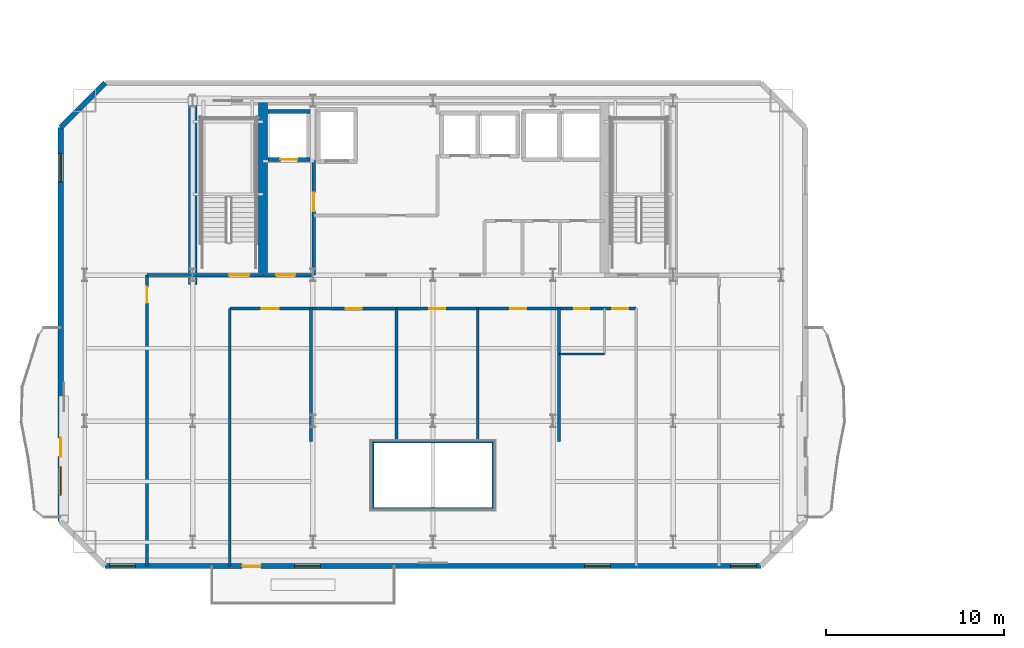
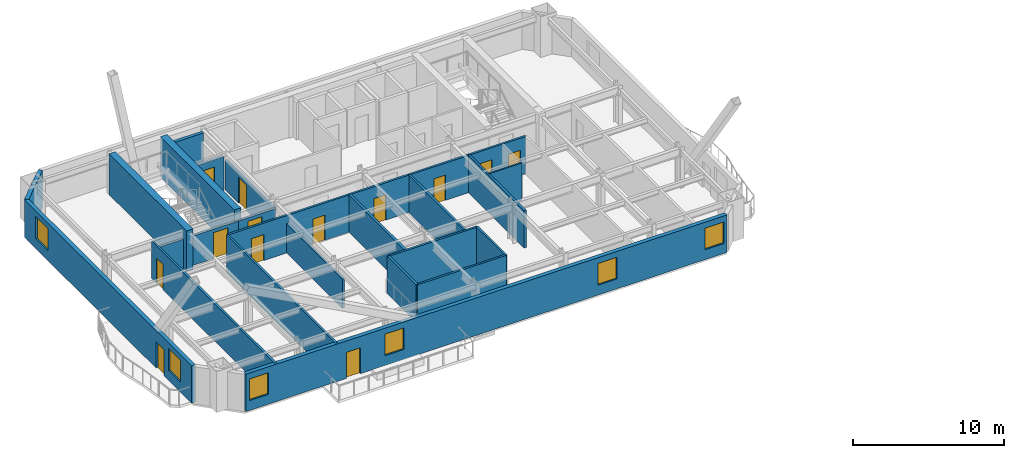
# One storey, part 5 of 13: 23 walls, 13 doors, 6 windows, 19 openings.
"""IFC4 building model written with IfcOpenShell, lengths in metres."""

from ifc_helpers import new_model, si_unit, direction, frame, frame_2d, origin, place, context, subcontext, project, spatial, rectangle, extrude, material, layer, layer_set, type_object, element, fill, save


model = new_model("IFC4")

# Units and contexts
model_context = context("Model", 3, precision=1e-05, world=origin(), true_north=direction((0.0, 1.0)))
body_context = subcontext(model_context, "Body", "Model", "MODEL_VIEW")
ifc_project = project(units=[si_unit("LENGTHUNIT", "METRE"), si_unit("AREAUNIT", "SQUARE_METRE"), si_unit("VOLUMEUNIT", "CUBIC_METRE"), si_unit("PLANEANGLEUNIT", "RADIAN"), si_unit("MASSUNIT", "GRAM", prefix="KILO")], contexts=[model_context])

# Site, building, storey
site_placement = place(None, origin())
site = spatial("IfcSite", under=ifc_project, at=site_placement, CompositionType="ELEMENT")
building_placement = place(site_placement, origin())
building = spatial("IfcBuilding", under=site, at=building_placement, Name="Haevon Station Towers", CompositionType="ELEMENT")
storey_placement = place(building_placement, frame((0.0, 0.0, 165.89990234375)))
storey = spatial("IfcBuildingStorey", under=building, at=storey_placement, Name="L45", CompositionType="ELEMENT", Elevation=165.89990234375)

# Walls
ifc_material_1 = material(Name="Gypsum board on steel stud", Category="steel")
ifc_layer_1 = layer(ifc_material_1, 0.179931640625)
ifc_layer_set_1 = layer_set([ifc_layer_1], Name="Gypsum board on steel stud")
wall_type_1 = type_object("IfcWallType", Name="WL-ACU180", PredefinedType="PARTITIONING", material=ifc_layer_set_1)
wall_1_placement = place(storey_placement, frame((21.425048828125, 38.199951171875, 0.0), z_axis=(0.0, 0.0, 1.0), x_axis=(1.0, 0.0, 0.0)))
element("IfcWall", 1, at=wall_1_placement, inside=storey, type_object=wall_type_1, Name="WL-T1PT-L45-03", PredefinedType="PARTITIONING", context=body_context, shape_type="SweptSolid", body=[
    extrude(rectangle(XDim=2.574951171875, YDim=0.179931640625, at=frame_2d((1.28759765625, 0.0))), origin(), (0.0, 0.0, 1.0), 2.380126953125),
])
wall_2_placement = place(storey_placement, frame((34.10009765625, 25.050048828125, 0.0), z_axis=(0.0, 0.0, 1.0), x_axis=(0.0, 1.0, 0.0)))
element("IfcWall", 2, at=wall_2_placement, inside=storey, type_object=wall_type_1, Name="WL-T1PT-L45-09", PredefinedType="PARTITIONING", context=body_context, shape_type="SweptSolid", body=[
    extrude(rectangle(XDim=3.800048828125, YDim=0.179931640625, at=frame_2d((1.89990234375, 0.0))), origin(), (0.0, 0.0, 1.0), 3.030029296875),
])
wall_3_placement = place(storey_placement, frame((35.4443359375, 28.85009765625, 0.0), z_axis=(0.0, 0.0, 1.0), x_axis=(0.0, 1.0, 0.0)))
element("IfcWall", 3, at=wall_3_placement, inside=storey, type_object=wall_type_1, Name="WL-T1PT-L45-12", PredefinedType="PARTITIONING", context=body_context, shape_type="SweptSolid", body=[
    extrude(rectangle(XDim=7.469970703125, YDim=0.179931640625, at=frame_2d((3.73486328125, 0.0))), origin(), (0.0, 0.0, 1.0), 3.030029296875),
])

# Wall, opening, door
ifc_layer_2 = layer(ifc_material_1, 0.199951171875)
ifc_layer_set_2 = layer_set([ifc_layer_2], Name="Gypsum board on steel stud")
wall_type_2 = type_object("IfcWallType", Name="WL-COR200", PredefinedType="PARTITIONING", material=ifc_layer_set_2)
wall_4_placement = place(storey_placement, frame((24.0, 38.199951171875, 0.0), z_axis=(0.0, 0.0, 1.0), x_axis=(1.0, 0.0, 0.0)))
wall_4 = element("IfcWall", 4, at=wall_4_placement, inside=storey, type_object=wall_type_2, Name="WL-ST-ST1-L45", PredefinedType="PARTITIONING", context=body_context, shape_type="SweptSolid", body=[
    extrude(rectangle(XDim=3.949951171875, YDim=0.199951171875, at=frame_2d((1.97509765625, 0.0))), origin(), (0.0, 0.0, 1.0), 2.380126953125),
])
opening_1_placement = place(wall_4_placement, frame((2.050048828125, 0.0, 0.0)))
opening_1 = element("IfcOpeningElement", 5, at=opening_1_placement, cuts=wall_4, Name="Opening DR-ST-ST1-L45", PredefinedType="OPENING", context=body_context, shape_type="SweptSolid", body=[
    extrude(rectangle(XDim=1.1201171875, YDim=2.10009765625, at=frame_2d((0.56005859375, 1.050048828125))), frame((0.0, 0.10986328125, 0.0), z_axis=(0.0, -1.0, 0.0), x_axis=(1.0, 0.0, 0.0)), (0.0, 0.0, 1.0), 0.219970703125),
])
ifc_material_2 = material(Name="Engineered oak timber", Category="wood")
door_type_1 = type_object("IfcDoorType", Name="DR-ST-1120", OperationType="NOTDEFINED", PredefinedType="DOOR", material=ifc_material_2)
door_1_placement = place(opening_1_placement, origin())
door_1 = element("IfcDoor", 6, at=door_1_placement, inside=storey, type_object=door_type_1, Name="L45 Escape Stair ST1 Fire Door", OperationType="SINGLE_SWING_LEFT", OverallHeight=2.10009765625, OverallWidth=1.1201171875, PredefinedType="DOOR", context=body_context, shape_type="SweptSolid", body=[
    extrude(rectangle(XDim=1.1201171875, YDim=2.10009765625, at=frame_2d((0.56005859375, 1.050048828125))), frame((0.0, 0.02490234375, 0.0), z_axis=(0.0, -1.0, 0.0), x_axis=(1.0, 0.0, 0.0)), (0.0, 0.0, 1.0), 0.050048828125),
])
fill(opening_1, door_1)

wall_5_placement = place(storey_placement, frame((30.800048828125, 38.199951171875, 0.0), z_axis=(0.0, 0.0, 1.0), x_axis=(0.0, 1.0, 0.0)))
wall_5 = element("IfcWall", 7, at=wall_5_placement, inside=storey, type_object=wall_type_2, Name="WL-T1FFL-L45-E", PredefinedType="PARTITIONING", context=body_context, shape_type="SweptSolid", body=[
    extrude(rectangle(XDim=6.449951171875, YDim=0.199951171875, at=frame_2d((3.22509765625, 0.0))), origin(), (0.0, 0.0, 1.0), 2.380126953125),
])
opening_2_placement = place(wall_5_placement, frame((3.590087890625, 0.0, 0.0)))
opening_2 = element("IfcOpeningElement", 8, at=opening_2_placement, cuts=wall_5, Name="Opening DR-T1FFL-L45-E", PredefinedType="OPENING", context=body_context, shape_type="SweptSolid", body=[
    extrude(rectangle(XDim=1.050048828125, YDim=2.10009765625, at=frame_2d((0.52490234375, 1.050048828125))), frame((0.0, 0.10986328125, 0.0), z_axis=(0.0, -1.0, 0.0), x_axis=(1.0, 0.0, 0.0)), (0.0, 0.0, 1.0), 0.219970703125),
])
door_type_2 = type_object("IfcDoorType", Name="DR-FD60-1050", OperationType="NOTDEFINED", PredefinedType="DOOR", material=ifc_material_2)
door_2_placement = place(opening_2_placement, origin())
door_2 = element("IfcDoor", 9, at=door_2_placement, inside=storey, type_object=door_type_2, Name="L45 Tower 1 Firefighting Lift Lobby Door E", OperationType="SINGLE_SWING_LEFT", OverallHeight=2.10009765625, OverallWidth=1.050048828125, PredefinedType="DOOR", context=body_context, shape_type="SweptSolid", body=[
    extrude(rectangle(XDim=1.050048828125, YDim=2.10009765625, at=frame_2d((0.52490234375, 1.050048828125))), frame((0.0, 0.02490234375, 0.0), z_axis=(0.0, -1.0, 0.0), x_axis=(1.0, 0.0, 0.0)), (0.0, 0.0, 1.0), 0.050048828125),
])
fill(opening_2, door_2)

wall_6_placement = place(storey_placement, frame((27.949951171875, 38.199951171875, 0.0), z_axis=(0.0, 0.0, 1.0), x_axis=(1.0, 0.0, 0.0)))
wall_6 = element("IfcWall", 10, at=wall_6_placement, inside=storey, type_object=wall_type_2, Name="WL-T1FFL-L45-S", PredefinedType="PARTITIONING", context=body_context, shape_type="SweptSolid", body=[
    extrude(rectangle(XDim=2.85009765625, YDim=0.199951171875, at=frame_2d((1.425048828125, 0.0))), origin(), (0.0, 0.0, 1.0), 2.380126953125),
])
opening_3_placement = place(wall_6_placement, frame((0.75, 0.0, 0.0)))
opening_3 = element("IfcOpeningElement", 11, at=opening_3_placement, cuts=wall_6, Name="Opening DR-T1FFL-L45-S", PredefinedType="OPENING", context=body_context, shape_type="SweptSolid", body=[
    extrude(rectangle(XDim=1.050048828125, YDim=2.10009765625, at=frame_2d((0.52490234375, 1.050048828125))), frame((0.0, 0.10986328125, 0.0), z_axis=(0.0, -1.0, 0.0), x_axis=(1.0, 0.0, 0.0)), (0.0, 0.0, 1.0), 0.219970703125),
])
door_3_placement = place(opening_3_placement, origin())
door_3 = element("IfcDoor", 12, at=door_3_placement, inside=storey, type_object=door_type_2, Name="L45 Tower 1 Firefighting Lift Lobby Door S", OperationType="SINGLE_SWING_RIGHT", OverallHeight=2.10009765625, OverallWidth=1.050048828125, PredefinedType="DOOR", context=body_context, shape_type="SweptSolid", body=[
    extrude(rectangle(XDim=1.050048828125, YDim=2.10009765625, at=frame_2d((0.52490234375, 1.050048828125))), frame((0.0, 0.02490234375, 0.0), z_axis=(0.0, -1.0, 0.0), x_axis=(1.0, 0.0, 0.0)), (0.0, 0.0, 1.0), 0.050048828125),
])
fill(opening_3, door_3)

# Walls
ifc_material_3 = material(Name="Concrete C60/75", Category="concrete")
ifc_layer_3 = layer(ifc_material_3, 0.5)
ifc_layer_set_3 = layer_set([ifc_layer_3], Name="Concrete C60/75")
wall_type_3 = type_object("IfcWallType", Name="WL-CR500", PredefinedType="SHEAR", material=ifc_layer_set_3)
wall_7_placement = place(storey_placement, frame((24.0, 37.679931640625, 0.0), z_axis=(0.0, 0.0, 1.0), x_axis=(0.0, 1.0, 0.0)))
element("IfcWall", 13, at=wall_7_placement, inside=storey, type_object=wall_type_3, Name="WL-T1CR-L45-W", PredefinedType="SHEAR", context=body_context, shape_type="SweptSolid", body=[
    extrude(rectangle(XDim=10.320068359375, YDim=0.5, at=frame_2d((5.16015625, 0.0))), origin(), (0.0, 0.0, 1.0), 3.300048828125),
])
wall_8_placement = place(storey_placement, frame((27.949951171875, 38.199951171875, 0.0), z_axis=(0.0, 0.0, 1.0), x_axis=(0.0, 1.0, 0.0)))
element("IfcWall", 14, at=wall_8_placement, inside=storey, type_object=wall_type_3, Name="WL-T1CR-L45-M1", PredefinedType="SHEAR", context=body_context, shape_type="SweptSolid", body=[
    extrude(rectangle(XDim=9.800048828125, YDim=0.5, at=frame_2d((4.89990234375, 0.0))), origin(), (0.0, 0.0, 1.0), 3.300048828125),
])

# Wall, openings, door, windows
ifc_material_4 = material(Name="Precast concrete C45/55", Category="concrete")
ifc_layer_4 = layer(ifc_material_4, 0.300048828125)
ifc_layer_set_4 = layer_set([ifc_layer_4], Name="Precast concrete C45/55")
wall_type_4 = type_object("IfcWallType", Name="WL-EXT-PIER300", PredefinedType="SOLIDWALL", material=ifc_layer_set_4)
wall_9_placement = place(storey_placement, frame((55.925048828125, 21.85009765625, 0.0), z_axis=(0.0, 0.0, 1.0), x_axis=(-1.0, 0.0, 0.0)))
wall_9 = element("IfcWall", 15, at=wall_9_placement, inside=storey, type_object=wall_type_4, Name="WL-T1-L45-S", PredefinedType="SOLIDWALL", context=body_context, shape_type="SweptSolid", body=[
    extrude(rectangle(XDim=36.85009765625, YDim=0.300048828125, at=frame_2d((18.425048828125, 0.0))), origin(), (0.0, 0.0, 1.0), 3.030029296875),
])
opening_4_placement = place(wall_9_placement, frame((28.096923828125, 0.0, 0.0)))
opening_4 = element("IfcOpeningElement", 16, at=opening_4_placement, cuts=wall_9, Name="Opening DR-T1-PBAND-L45-1", PredefinedType="OPENING", context=body_context, shape_type="SweptSolid", body=[
    extrude(rectangle(XDim=1.050048828125, YDim=2.10009765625, at=frame_2d((0.52490234375, 1.050048828125))), frame((0.0, 0.159912109375, 0.0), z_axis=(0.0, -1.0, 0.0), x_axis=(1.0, 0.0, 0.0)), (0.0, 0.0, 1.0), 0.320068359375),
])
opening_5_placement = place(wall_9_placement, frame((35.14990234375, 0.0, 0.800048828125)))
opening_5 = element("IfcOpeningElement", 17, at=opening_5_placement, cuts=wall_9, Name="Opening WN-P145", PredefinedType="OPENING", context=body_context, shape_type="SweptSolid", body=[
    extrude(rectangle(XDim=1.449951171875, YDim=1.75, at=frame_2d((0.72509765625, 0.875))), frame((0.0, 0.159912109375, 0.0), z_axis=(0.0, -1.0, 0.0), x_axis=(1.0, 0.0, 0.0)), (0.0, 0.0, 1.0), 0.320068359375),
])
opening_6_placement = place(wall_9_placement, frame((0.25, 0.0, 0.800048828125)))
opening_6 = element("IfcOpeningElement", 18, at=opening_6_placement, cuts=wall_9, Name="Opening WN-P145", PredefinedType="OPENING", context=body_context, shape_type="SweptSolid", body=[
    extrude(rectangle(XDim=1.449951171875, YDim=1.75, at=frame_2d((0.72509765625, 0.875))), frame((0.0, 0.159912109375, 0.0), z_axis=(0.0, -1.0, 0.0), x_axis=(1.0, 0.0, 0.0)), (0.0, 0.0, 1.0), 0.320068359375),
])
opening_7_placement = place(wall_9_placement, frame((24.7568359375, 0.0, 0.800048828125)))
opening_7 = element("IfcOpeningElement", 19, at=opening_7_placement, cuts=wall_9, Name="Opening WN-P145", PredefinedType="OPENING", context=body_context, shape_type="SweptSolid", body=[
    extrude(rectangle(XDim=1.449951171875, YDim=1.75, at=frame_2d((0.72509765625, 0.875))), frame((0.0, 0.159912109375, 0.0), z_axis=(0.0, -1.0, 0.0), x_axis=(1.0, 0.0, 0.0)), (0.0, 0.0, 1.0), 0.320068359375),
])
opening_8_placement = place(wall_9_placement, frame((8.44970703125, 0.0, 0.800048828125)))
opening_8 = element("IfcOpeningElement", 20, at=opening_8_placement, cuts=wall_9, Name="Opening WN-P145", PredefinedType="OPENING", context=body_context, shape_type="SweptSolid", body=[
    extrude(rectangle(XDim=1.449951171875, YDim=1.75, at=frame_2d((0.72509765625, 0.875))), frame((0.0, 0.159912109375, 0.0), z_axis=(0.0, -1.0, 0.0), x_axis=(1.0, 0.0, 0.0)), (0.0, 0.0, 1.0), 0.320068359375),
])
ifc_material_5 = material(Name="Thermally broken anodised aluminium and laminated safety glass", Category="aluminium")
door_type_3 = type_object("IfcDoorType", Name="DR-BALC-1050", OperationType="NOTDEFINED", PredefinedType="DOOR", material=ifc_material_5)
door_4_placement = place(opening_4_placement, origin())
door_4 = element("IfcDoor", 21, at=door_4_placement, inside=storey, type_object=door_type_3, Name="Tower 1 L45 Balcony Terrace Door", OperationType="SINGLE_SWING_LEFT", OverallHeight=2.10009765625, OverallWidth=1.050048828125, PredefinedType="DOOR", context=body_context, shape_type="SweptSolid", body=[
    extrude(rectangle(XDim=1.050048828125, YDim=2.10009765625, at=frame_2d((0.52490234375, 1.050048828125))), frame((0.0, 0.02490234375, 0.0), z_axis=(0.0, -1.0, 0.0), x_axis=(1.0, 0.0, 0.0)), (0.0, 0.0, 1.0), 0.050048828125),
])
fill(opening_4, door_4)
ifc_material_6 = material(Name="Low-E triple glazing in thermally broken aluminium", Category="aluminium")
window_type_1 = type_object("IfcWindowType", Name="WN-P145", PartitioningType="SINGLE_PANEL", PredefinedType="WINDOW", material=ifc_material_6)
window_1_placement = place(opening_5_placement, origin())
window_1 = element("IfcWindow", 22, at=window_1_placement, inside=storey, type_object=window_type_1, Name="WN-T1-L45-S01", OverallHeight=1.75, OverallWidth=1.449951171875, PartitioningType="SINGLE_PANEL", PredefinedType="WINDOW", context=body_context, shape_type="SweptSolid", body=[
    extrude(rectangle(XDim=1.449951171875, YDim=1.75, at=frame_2d((0.72509765625, 0.875))), frame((0.0, 0.030029296875, 0.0), z_axis=(0.0, -1.0, 0.0), x_axis=(1.0, 0.0, 0.0)), (0.0, 0.0, 1.0), 0.06005859375),
])
fill(opening_5, window_1)
window_2_placement = place(opening_6_placement, origin())
window_2 = element("IfcWindow", 23, at=window_2_placement, inside=storey, type_object=window_type_1, Name="WN-T1-L45-S02", OverallHeight=1.75, OverallWidth=1.449951171875, PartitioningType="SINGLE_PANEL", PredefinedType="WINDOW", context=body_context, shape_type="SweptSolid", body=[
    extrude(rectangle(XDim=1.449951171875, YDim=1.75, at=frame_2d((0.72509765625, 0.875))), frame((0.0, 0.030029296875, 0.0), z_axis=(0.0, -1.0, 0.0), x_axis=(1.0, 0.0, 0.0)), (0.0, 0.0, 1.0), 0.06005859375),
])
fill(opening_6, window_2)
window_3_placement = place(opening_7_placement, origin())
window_3 = element("IfcWindow", 24, at=window_3_placement, inside=storey, type_object=window_type_1, Name="WN-T1-L45-S03", OverallHeight=1.75, OverallWidth=1.449951171875, PartitioningType="SINGLE_PANEL", PredefinedType="WINDOW", context=body_context, shape_type="SweptSolid", body=[
    extrude(rectangle(XDim=1.449951171875, YDim=1.75, at=frame_2d((0.72509765625, 0.875))), frame((0.0, 0.030029296875, 0.0), z_axis=(0.0, -1.0, 0.0), x_axis=(1.0, 0.0, 0.0)), (0.0, 0.0, 1.0), 0.06005859375),
])
fill(opening_7, window_3)
window_4_placement = place(opening_8_placement, origin())
window_4 = element("IfcWindow", 25, at=window_4_placement, inside=storey, type_object=window_type_1, Name="WN-T1-L45-S04", OverallHeight=1.75, OverallWidth=1.449951171875, PartitioningType="SINGLE_PANEL", PredefinedType="WINDOW", context=body_context, shape_type="SweptSolid", body=[
    extrude(rectangle(XDim=1.449951171875, YDim=1.75, at=frame_2d((0.72509765625, 0.875))), frame((0.0, 0.030029296875, 0.0), z_axis=(0.0, -1.0, 0.0), x_axis=(1.0, 0.0, 0.0)), (0.0, 0.0, 1.0), 0.06005859375),
])
fill(opening_8, window_4)

wall_10_placement = place(storey_placement, frame((16.574951171875, 24.35009765625, 0.0), z_axis=(0.0, 0.0, 1.0), x_axis=(0.0, 1.0, 0.0)))
wall_10 = element("IfcWall", 26, at=wall_10_placement, inside=storey, type_object=wall_type_4, Name="WL-T1-L45-W", PredefinedType="SOLIDWALL", context=body_context, shape_type="SweptSolid", body=[
    extrude(rectangle(XDim=22.14990234375, YDim=0.300048828125, at=frame_2d((11.074951171875, 0.0))), origin(), (0.0, 0.0, 1.0), 3.030029296875),
])
opening_9_placement = place(wall_10_placement, frame((3.64990234375, 0.0, 0.0)))
opening_9 = element("IfcOpeningElement", 27, at=opening_9_placement, cuts=wall_10, Name="Opening DR-T1-SCAL-L45-W", PredefinedType="OPENING", context=body_context, shape_type="SweptSolid", body=[
    extrude(rectangle(XDim=1.050048828125, YDim=2.10009765625, at=frame_2d((0.52490234375, 1.050048828125))), frame((0.0, 0.159912109375, 0.0), z_axis=(0.0, -1.0, 0.0), x_axis=(1.0, 0.0, 0.0)), (0.0, 0.0, 1.0), 0.320068359375),
])
opening_10_placement = place(wall_10_placement, frame((1.476806640625, 0.0, 0.800048828125)))
opening_10 = element("IfcOpeningElement", 28, at=opening_10_placement, cuts=wall_10, Name="Opening WN-END160", PredefinedType="OPENING", context=body_context, shape_type="SweptSolid", body=[
    extrude(rectangle(XDim=1.60009765625, YDim=1.800048828125, at=frame_2d((0.800048828125, 0.89990234375))), frame((0.0, 0.159912109375, 0.0), z_axis=(0.0, -1.0, 0.0), x_axis=(1.0, 0.0, 0.0)), (0.0, 0.0, 1.0), 0.320068359375),
])
opening_11_placement = place(wall_10_placement, frame((19.0732421875, 0.0, 0.800048828125)))
opening_11 = element("IfcOpeningElement", 29, at=opening_11_placement, cuts=wall_10, Name="Opening WN-END160", PredefinedType="OPENING", context=body_context, shape_type="SweptSolid", body=[
    extrude(rectangle(XDim=1.60009765625, YDim=1.800048828125, at=frame_2d((0.800048828125, 0.89990234375))), frame((0.0, 0.159912109375, 0.0), z_axis=(0.0, -1.0, 0.0), x_axis=(1.0, 0.0, 0.0)), (0.0, 0.0, 1.0), 0.320068359375),
])
door_5_placement = place(opening_9_placement, origin())
door_5 = element("IfcDoor", 30, at=door_5_placement, inside=storey, type_object=door_type_3, Name="Tower 1 L45 West Scalloped Balcony Door", OperationType="SINGLE_SWING_RIGHT", OverallHeight=2.10009765625, OverallWidth=1.050048828125, PredefinedType="DOOR", context=body_context, shape_type="SweptSolid", body=[
    extrude(rectangle(XDim=1.050048828125, YDim=2.10009765625, at=frame_2d((0.52490234375, 1.050048828125))), frame((0.0, 0.02490234375, 0.0), z_axis=(0.0, -1.0, 0.0), x_axis=(1.0, 0.0, 0.0)), (0.0, 0.0, 1.0), 0.050048828125),
])
fill(opening_9, door_5)
window_type_2 = type_object("IfcWindowType", Name="WN-END160", PartitioningType="SINGLE_PANEL", PredefinedType="WINDOW", material=ifc_material_6)
window_5_placement = place(opening_10_placement, origin())
window_5 = element("IfcWindow", 31, at=window_5_placement, inside=storey, type_object=window_type_2, Name="WN-T1-L45-W01", OverallHeight=1.800048828125, OverallWidth=1.60009765625, PartitioningType="SINGLE_PANEL", PredefinedType="WINDOW", context=body_context, shape_type="SweptSolid", body=[
    extrude(rectangle(XDim=1.60009765625, YDim=1.800048828125, at=frame_2d((0.800048828125, 0.89990234375))), frame((0.0, 0.030029296875, 0.0), z_axis=(0.0, -1.0, 0.0), x_axis=(1.0, 0.0, 0.0)), (0.0, 0.0, 1.0), 0.06005859375),
])
fill(opening_10, window_5)
window_6_placement = place(opening_11_placement, origin())
window_6 = element("IfcWindow", 32, at=window_6_placement, inside=storey, type_object=window_type_2, Name="WN-T1-L45-W02", OverallHeight=1.800048828125, OverallWidth=1.60009765625, PartitioningType="SINGLE_PANEL", PredefinedType="WINDOW", context=body_context, shape_type="SweptSolid", body=[
    extrude(rectangle(XDim=1.60009765625, YDim=1.800048828125, at=frame_2d((0.800048828125, 0.89990234375))), frame((0.0, 0.030029296875, 0.0), z_axis=(0.0, -1.0, 0.0), x_axis=(1.0, 0.0, 0.0)), (0.0, 0.0, 1.0), 0.06005859375),
])
fill(opening_11, window_6)

# Walls
wall_11_placement = place(storey_placement, frame((16.574951171875, 46.5, 0.0), z_axis=(0.0, 0.0, 1.0), x_axis=(0.707106781187, 0.707106781187, 0.0)))
element("IfcWall", 33, at=wall_11_placement, inside=storey, type_object=wall_type_4, Name="WL-T1-L45-NWC", PredefinedType="SOLIDWALL", context=body_context, shape_type="SweptSolid", body=[
    extrude(rectangle(XDim=3.53564453125, YDim=0.300048828125, at=frame_2d((1.767822265625, 0.0))), origin(), (0.0, 0.0, 1.0), 3.030029296875),
])
ifc_layer_5 = layer(ifc_material_1, 0.125)
ifc_layer_set_5 = layer_set([ifc_layer_5], Name="Gypsum board on steel stud")
wall_type_5 = type_object("IfcWallType", Name="WL-PRT125", PredefinedType="PARTITIONING", material=ifc_layer_set_5)
wall_12_placement = place(storey_placement, frame((44.580322265625, 33.77001953125, 0.0), z_axis=(0.0, 0.0, 1.0), x_axis=(1.0, 0.0, 0.0)))
element("IfcWall", 34, at=wall_12_placement, inside=storey, type_object=wall_type_5, Name="WL-T1PT-L45-18", PredefinedType="PARTITIONING", context=body_context, shape_type="SweptSolid", body=[
    extrude(rectangle(XDim=2.5595703125, YDim=0.125, at=frame_2d((1.27978515625, 0.0))), origin(), (0.0, 0.0, 1.0), 3.030029296875),
])
ifc_layer_6 = layer(ifc_material_1, 0.159912109375)
ifc_layer_set_6 = layer_set([ifc_layer_6], Name="Gypsum board on steel stud")
wall_type_6 = type_object("IfcWallType", Name="WL-PRT160", PredefinedType="PARTITIONING", material=ifc_layer_set_6)
wall_13_placement = place(storey_placement, frame((26.080078125, 21.85009765625, 0.0), z_axis=(0.0, 0.0, 1.0), x_axis=(0.0, 1.0, 0.0)))
element("IfcWall", 35, at=wall_13_placement, inside=storey, type_object=wall_type_6, Name="WL-T1PT-L45-01", PredefinedType="PARTITIONING", context=body_context, shape_type="SweptSolid", body=[
    extrude(rectangle(XDim=14.469970703125, YDim=0.159912109375, at=frame_2d((7.23486328125, 0.0))), origin(), (0.0, 0.0, 1.0), 3.030029296875),
])

# Wall, opening, door
wall_14_placement = place(storey_placement, frame((21.425048828125, 21.85009765625, 0.0), z_axis=(0.0, 0.0, 1.0), x_axis=(0.0, 1.0, 0.0)))
wall_14 = element("IfcWall", 36, at=wall_14_placement, inside=storey, type_object=wall_type_6, Name="WL-T1PT-L45-05", PredefinedType="PARTITIONING", context=body_context, shape_type="SweptSolid", body=[
    extrude(rectangle(XDim=16.349853515625, YDim=0.159912109375, at=frame_2d((8.1748046875, 0.0))), origin(), (0.0, 0.0, 1.0), 3.030029296875),
])
opening_12_placement = place(wall_14_placement, frame((14.7900390625, 0.0, 0.0)))
opening_12 = element("IfcOpeningElement", 37, at=opening_12_placement, cuts=wall_14, Name="Opening DR-WL-T1PT-L45-05-01", PredefinedType="OPENING", context=body_context, shape_type="SweptSolid", body=[
    extrude(rectangle(XDim=0.89990234375, YDim=2.050048828125, at=frame_2d((0.449951171875, 1.02490234375))), frame((0.0, 0.08984375, 0.0), z_axis=(0.0, -1.0, 0.0), x_axis=(1.0, 0.0, 0.0)), (0.0, 0.0, 1.0), 0.179931640625),
])
door_type_4 = type_object("IfcDoorType", Name="DR-INT-900", OperationType="NOTDEFINED", PredefinedType="DOOR", material=ifc_material_2)
door_6_placement = place(opening_12_placement, origin())
door_6 = element("IfcDoor", 38, at=door_6_placement, inside=storey, type_object=door_type_4, Name="L45 Tower 1 Room Door 5-1", OperationType="SINGLE_SWING_LEFT", OverallHeight=2.050048828125, OverallWidth=0.89990234375, PredefinedType="DOOR", context=body_context, shape_type="SweptSolid", body=[
    extrude(rectangle(XDim=0.89990234375, YDim=2.050048828125, at=frame_2d((0.449951171875, 1.02490234375))), frame((0.0, 0.02490234375, 0.0), z_axis=(0.0, -1.0, 0.0), x_axis=(1.0, 0.0, 0.0)), (0.0, 0.0, 1.0), 0.050048828125),
])
fill(opening_12, door_6)

# Walls
for number, where, z_axis, x_axis, name in (
    (39, (34.10009765625, 25.050048828125, 0.0), (0.0, 0.0, 1.0), (1.0, 0.0, 0.0), "WL-T1PT-L45-07"),
    (40, (34.10009765625, 28.85009765625, 0.0), (0.0, 0.0, 1.0), (1.0, 0.0, 0.0), "WL-T1PT-L45-08"),
):
    element("IfcWall", number, at=place(storey_placement, frame(where, z_axis=z_axis, x_axis=x_axis)), inside=storey, type_object=wall_type_6, Name=name, PredefinedType="PARTITIONING", context=body_context, shape_type="SweptSolid", body=[
        extrude(rectangle(XDim=6.7998046875, YDim=0.159912109375, at=frame_2d((3.39990234375, 0.0))), origin(), (0.0, 0.0, 1.0), 3.030029296875),
    ])
wall_15_placement = place(storey_placement, frame((40.89990234375, 25.050048828125, 0.0), z_axis=(0.0, 0.0, 1.0), x_axis=(0.0, 1.0, 0.0)))
element("IfcWall", 41, at=wall_15_placement, inside=storey, type_object=wall_type_6, Name="WL-T1PT-L45-10", PredefinedType="PARTITIONING", context=body_context, shape_type="SweptSolid", body=[
    extrude(rectangle(XDim=3.800048828125, YDim=0.159912109375, at=frame_2d((1.89990234375, 0.0))), origin(), (0.0, 0.0, 1.0), 3.030029296875),
])
wall_16_placement = place(storey_placement, frame((30.64794921875, 28.85009765625, 0.0), z_axis=(0.0, 0.0, 1.0), x_axis=(0.0, 1.0, 0.0)))
element("IfcWall", 42, at=wall_16_placement, inside=storey, type_object=wall_type_6, Name="WL-T1PT-L45-11", PredefinedType="PARTITIONING", context=body_context, shape_type="SweptSolid", body=[
    extrude(rectangle(XDim=7.469970703125, YDim=0.159912109375, at=frame_2d((3.73486328125, 0.0))), origin(), (0.0, 0.0, 1.0), 2.380126953125),
])
for number, where, z_axis, x_axis, name in (
    (43, (40.012451171875, 28.85009765625, 0.0), (0.0, 0.0, 1.0), (0.0, 1.0, 0.0), "WL-T1PT-L45-14"),
    (44, (44.580322265625, 28.85009765625, 0.0), (0.0, 0.0, 1.0), (0.0, 1.0, 0.0), "WL-T1PT-L45-16"),
):
    element("IfcWall", number, at=place(storey_placement, frame(where, z_axis=z_axis, x_axis=x_axis)), inside=storey, type_object=wall_type_6, Name=name, PredefinedType="PARTITIONING", context=body_context, shape_type="SweptSolid", body=[
        extrude(rectangle(XDim=7.469970703125, YDim=0.159912109375, at=frame_2d((3.73486328125, 0.0))), origin(), (0.0, 0.0, 1.0), 3.030029296875),
    ])

# Wall, openings, doors
wall_17_placement = place(storey_placement, frame((26.080078125, 36.320068359375, 0.0), z_axis=(0.0, 0.0, 1.0), x_axis=(1.0, 0.0, 0.0)))
wall_17 = element("IfcWall", 45, at=wall_17_placement, inside=storey, type_object=wall_type_6, Name="WL-T1PT-L45-20", PredefinedType="PARTITIONING", context=body_context, shape_type="SweptSolid", body=[
    extrude(rectangle(XDim=22.83984375, YDim=0.159912109375, at=frame_2d((11.419921875, 0.0))), origin(), (0.0, 0.0, 1.0), 3.030029296875),
])
opening_13_placement = place(wall_17_placement, frame((1.80908203125, 0.0, 0.0)))
opening_13 = element("IfcOpeningElement", 46, at=opening_13_placement, cuts=wall_17, Name="Opening DR-WL-T1PT-L45-20-01", PredefinedType="OPENING", context=body_context, shape_type="SweptSolid", body=[
    extrude(rectangle(XDim=0.949951171875, YDim=2.10009765625, at=frame_2d((0.47509765625, 1.050048828125))), frame((0.0, 0.08984375, 0.0), z_axis=(0.0, -1.0, 0.0), x_axis=(1.0, 0.0, 0.0)), (0.0, 0.0, 1.0), 0.179931640625),
])
opening_14_placement = place(wall_17_placement, frame((6.51611328125, 0.0, 0.0)))
opening_14 = element("IfcOpeningElement", 47, at=opening_14_placement, cuts=wall_17, Name="Opening DR-WL-T1PT-L45-20-02", PredefinedType="OPENING", context=body_context, shape_type="SweptSolid", body=[
    extrude(rectangle(XDim=0.89990234375, YDim=2.050048828125, at=frame_2d((0.449951171875, 1.02490234375))), frame((0.0, 0.08984375, 0.0), z_axis=(0.0, -1.0, 0.0), x_axis=(1.0, 0.0, 0.0)), (0.0, 0.0, 1.0), 0.179931640625),
])
opening_15_placement = place(wall_17_placement, frame((11.197998046875, 0.0, 0.0)))
opening_15 = element("IfcOpeningElement", 48, at=opening_15_placement, cuts=wall_17, Name="Opening DR-WL-T1PT-L45-20-03", PredefinedType="OPENING", context=body_context, shape_type="SweptSolid", body=[
    extrude(rectangle(XDim=0.89990234375, YDim=2.050048828125, at=frame_2d((0.449951171875, 1.02490234375))), frame((0.0, 0.08984375, 0.0), z_axis=(0.0, -1.0, 0.0), x_axis=(1.0, 0.0, 0.0)), (0.0, 0.0, 1.0), 0.179931640625),
])
opening_16_placement = place(wall_17_placement, frame((15.76611328125, 0.0, 0.0)))
opening_16 = element("IfcOpeningElement", 49, at=opening_16_placement, cuts=wall_17, Name="Opening DR-WL-T1PT-L45-20-04", PredefinedType="OPENING", context=body_context, shape_type="SweptSolid", body=[
    extrude(rectangle(XDim=0.89990234375, YDim=2.050048828125, at=frame_2d((0.449951171875, 1.02490234375))), frame((0.0, 0.08984375, 0.0), z_axis=(0.0, -1.0, 0.0), x_axis=(1.0, 0.0, 0.0)), (0.0, 0.0, 1.0), 0.179931640625),
])
opening_17_placement = place(wall_17_placement, frame((19.35498046875, 0.0, 0.0)))
opening_17 = element("IfcOpeningElement", 50, at=opening_17_placement, cuts=wall_17, Name="Opening DR-WL-T1PT-L45-20-05", PredefinedType="OPENING", context=body_context, shape_type="SweptSolid", body=[
    extrude(rectangle(XDim=0.85009765625, YDim=2.050048828125, at=frame_2d((0.425048828125, 1.02490234375))), frame((0.0, 0.08984375, 0.0), z_axis=(0.0, -1.0, 0.0), x_axis=(1.0, 0.0, 0.0)), (0.0, 0.0, 1.0), 0.179931640625),
])
opening_18_placement = place(wall_17_placement, frame((21.5, 0.0, 0.0)))
opening_18 = element("IfcOpeningElement", 51, at=opening_18_placement, cuts=wall_17, Name="Opening DR-WL-T1PT-L45-20-06", PredefinedType="OPENING", context=body_context, shape_type="SweptSolid", body=[
    extrude(rectangle(XDim=0.89990234375, YDim=2.050048828125, at=frame_2d((0.449951171875, 1.02490234375))), frame((0.0, 0.08984375, 0.0), z_axis=(0.0, -1.0, 0.0), x_axis=(1.0, 0.0, 0.0)), (0.0, 0.0, 1.0), 0.179931640625),
])
door_type_5 = type_object("IfcDoorType", Name="DR-FD30-850", OperationType="NOTDEFINED", PredefinedType="DOOR", material=ifc_material_2)
door_7_placement = place(opening_17_placement, origin())
door_7 = element("IfcDoor", 52, at=door_7_placement, inside=storey, type_object=door_type_5, Name="L45 Tower 1 Room Door 20-5", OperationType="SINGLE_SWING_LEFT", OverallHeight=2.050048828125, OverallWidth=0.85009765625, PredefinedType="DOOR", context=body_context, shape_type="SweptSolid", body=[
    extrude(rectangle(XDim=0.85009765625, YDim=2.050048828125, at=frame_2d((0.425048828125, 1.02490234375))), frame((0.0, 0.02490234375, 0.0), z_axis=(0.0, -1.0, 0.0), x_axis=(1.0, 0.0, 0.0)), (0.0, 0.0, 1.0), 0.050048828125),
])
fill(opening_17, door_7)
door_type_6 = type_object("IfcDoorType", Name="DR-FD30-950", OperationType="NOTDEFINED", PredefinedType="DOOR", material=ifc_material_2)
door_8_placement = place(opening_13_placement, origin())
door_8 = element("IfcDoor", 53, at=door_8_placement, inside=storey, type_object=door_type_6, Name="L45 Tower 1 Room Door 20-1", OperationType="SINGLE_SWING_LEFT", OverallHeight=2.10009765625, OverallWidth=0.949951171875, PredefinedType="DOOR", context=body_context, shape_type="SweptSolid", body=[
    extrude(rectangle(XDim=0.949951171875, YDim=2.10009765625, at=frame_2d((0.47509765625, 1.050048828125))), frame((0.0, 0.02490234375, 0.0), z_axis=(0.0, -1.0, 0.0), x_axis=(1.0, 0.0, 0.0)), (0.0, 0.0, 1.0), 0.050048828125),
])
fill(opening_13, door_8)
door_9_placement = place(opening_14_placement, origin())
door_9 = element("IfcDoor", 54, at=door_9_placement, inside=storey, type_object=door_type_4, Name="L45 Tower 1 Room Door 20-2", OperationType="SINGLE_SWING_RIGHT", OverallHeight=2.050048828125, OverallWidth=0.89990234375, PredefinedType="DOOR", context=body_context, shape_type="SweptSolid", body=[
    extrude(rectangle(XDim=0.89990234375, YDim=2.050048828125, at=frame_2d((0.449951171875, 1.02490234375))), frame((0.0, 0.02490234375, 0.0), z_axis=(0.0, -1.0, 0.0), x_axis=(1.0, 0.0, 0.0)), (0.0, 0.0, 1.0), 0.050048828125),
])
fill(opening_14, door_9)
door_10_placement = place(opening_15_placement, origin())
door_10 = element("IfcDoor", 55, at=door_10_placement, inside=storey, type_object=door_type_4, Name="L45 Tower 1 Room Door 20-3", OperationType="SINGLE_SWING_LEFT", OverallHeight=2.050048828125, OverallWidth=0.89990234375, PredefinedType="DOOR", context=body_context, shape_type="SweptSolid", body=[
    extrude(rectangle(XDim=0.89990234375, YDim=2.050048828125, at=frame_2d((0.449951171875, 1.02490234375))), frame((0.0, 0.02490234375, 0.0), z_axis=(0.0, -1.0, 0.0), x_axis=(1.0, 0.0, 0.0)), (0.0, 0.0, 1.0), 0.050048828125),
])
fill(opening_15, door_10)
door_11_placement = place(opening_16_placement, origin())
door_11 = element("IfcDoor", 56, at=door_11_placement, inside=storey, type_object=door_type_4, Name="L45 Tower 1 Room Door 20-4", OperationType="SINGLE_SWING_RIGHT", OverallHeight=2.050048828125, OverallWidth=0.89990234375, PredefinedType="DOOR", context=body_context, shape_type="SweptSolid", body=[
    extrude(rectangle(XDim=0.89990234375, YDim=2.050048828125, at=frame_2d((0.449951171875, 1.02490234375))), frame((0.0, 0.02490234375, 0.0), z_axis=(0.0, -1.0, 0.0), x_axis=(1.0, 0.0, 0.0)), (0.0, 0.0, 1.0), 0.050048828125),
])
fill(opening_16, door_11)
door_12_placement = place(opening_18_placement, origin())
door_12 = element("IfcDoor", 57, at=door_12_placement, inside=storey, type_object=door_type_4, Name="L45 Tower 1 Room Door 20-6", OperationType="SINGLE_SWING_RIGHT", OverallHeight=2.050048828125, OverallWidth=0.89990234375, PredefinedType="DOOR", context=body_context, shape_type="SweptSolid", body=[
    extrude(rectangle(XDim=0.89990234375, YDim=2.050048828125, at=frame_2d((0.449951171875, 1.02490234375))), frame((0.0, 0.02490234375, 0.0), z_axis=(0.0, -1.0, 0.0), x_axis=(1.0, 0.0, 0.0)), (0.0, 0.0, 1.0), 0.050048828125),
])
fill(opening_18, door_12)

# Wall, opening, door
ifc_material_7 = material(Name="Concrete C40/50", Category="concrete")
ifc_layer_7 = layer(ifc_material_7, 0.239990234375)
ifc_layer_set_7 = layer_set([ifc_layer_7], Name="Concrete C40/50")
wall_type_7 = type_object("IfcWallType", Name="WL-SHF240", PredefinedType="PARTITIONING", material=ifc_layer_set_7)
wall_18_placement = place(storey_placement, frame((28.219970703125, 44.699951171875, 0.0), z_axis=(0.0, 0.0, 1.0), x_axis=(1.0, 0.0, 0.0)))
wall_18 = element("IfcWall", 58, at=wall_18_placement, inside=storey, type_object=wall_type_7, Name="WL-SHF-FL1-L45", PredefinedType="PARTITIONING", context=body_context, shape_type="SweptSolid", body=[
    extrude(rectangle(XDim=2.360107421875, YDim=0.239990234375, at=frame_2d((1.18017578125, 0.0))), origin(), (0.0, 0.0, 1.0), 2.72998046875),
])
opening_19_placement = place(wall_18_placement, frame((0.705078125, 0.0, 0.0)))
opening_19 = element("IfcOpeningElement", 59, at=opening_19_placement, cuts=wall_18, Name="Opening LD-FL1-L45", PredefinedType="OPENING", context=body_context, shape_type="SweptSolid", body=[
    extrude(rectangle(XDim=0.949951171875, YDim=2.14990234375, at=frame_2d((0.47509765625, 1.074951171875))), frame((0.0, 0.1298828125, 0.0), z_axis=(0.0, -1.0, 0.0), x_axis=(1.0, 0.0, 0.0)), (0.0, 0.0, 1.0), 0.260009765625),
])
ifc_material_8 = material(Name="Stainless steel and rated core", Category="steel")
door_type_7 = type_object("IfcDoorType", Name="LD-FL950", OperationType="SLIDING_TO_LEFT", PredefinedType="DOOR", material=ifc_material_8)
door_13_placement = place(opening_19_placement, origin())
door_13 = element("IfcDoor", 60, at=door_13_placement, inside=storey, type_object=door_type_7, Name="L45 Lift FL1 Sliding Landing Door", OperationType="SLIDING_TO_LEFT", OverallHeight=2.14990234375, OverallWidth=0.949951171875, PredefinedType="DOOR", context=body_context, shape_type="SweptSolid", body=[
    extrude(rectangle(XDim=0.949951171875, YDim=2.14990234375, at=frame_2d((0.47509765625, 1.074951171875))), frame((0.0, 0.02490234375, 0.0), z_axis=(0.0, -1.0, 0.0), x_axis=(1.0, 0.0, 0.0)), (0.0, 0.0, 1.0), 0.050048828125),
])
fill(opening_19, door_13)

# Wall
wall_19_placement = place(storey_placement, frame((28.219970703125, 47.39990234375, 0.0), z_axis=(0.0, 0.0, 1.0), x_axis=(1.0, 0.0, 0.0)))
element("IfcWall", 61, at=wall_19_placement, inside=storey, type_object=wall_type_7, Name="WL-SHF-FL1-L45-N", PredefinedType="PARTITIONING", context=body_context, shape_type="SweptSolid", body=[
    extrude(rectangle(XDim=2.360107421875, YDim=0.239990234375, at=frame_2d((1.18017578125, 0.0))), origin(), (0.0, 0.0, 1.0), 3.030029296875),
])

save(model, "model.ifc")
